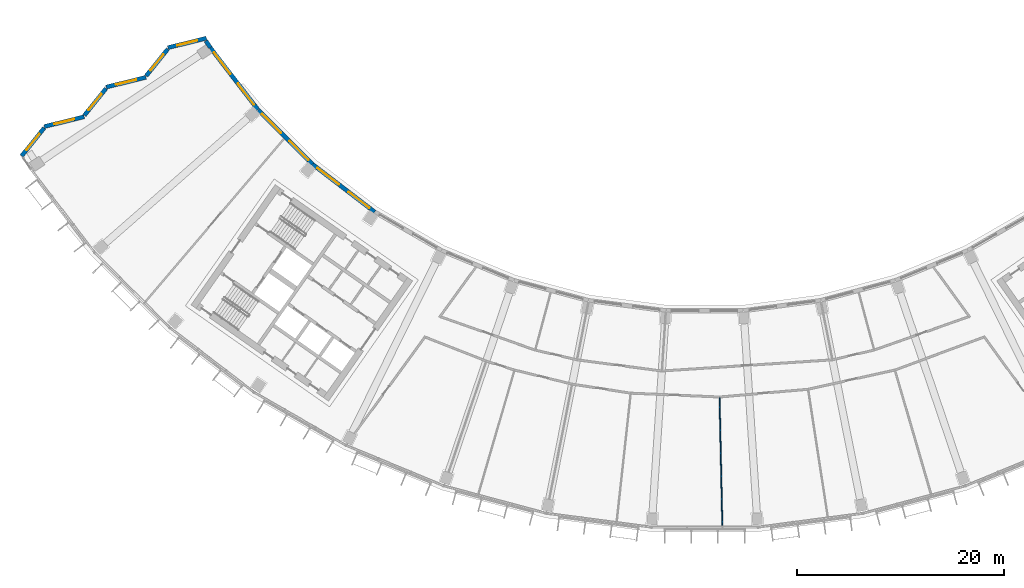
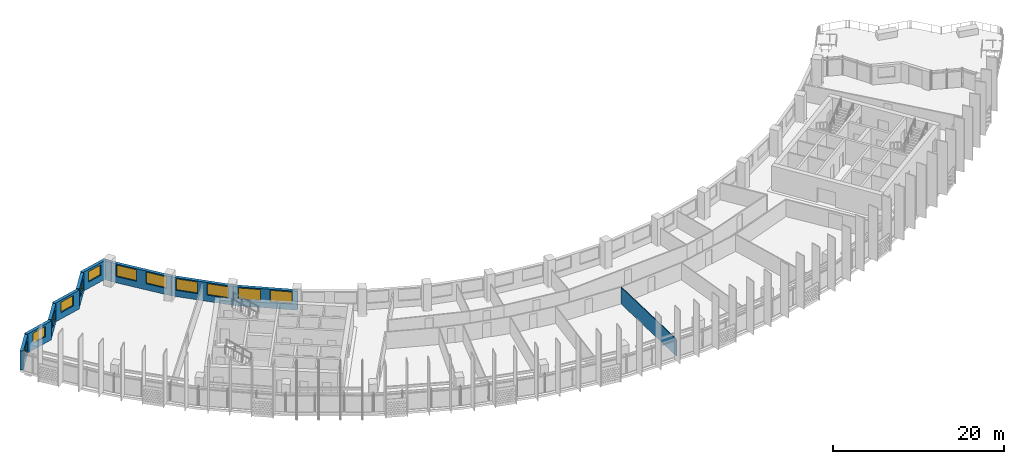
# One storey, part 4 of 30: 12 windows, 11 walls, 12 openings.
"""IFC4 building model written with IfcOpenShell, lengths in metres."""

from ifc_helpers import new_model, si_unit, direction, frame, frame_2d, origin, place, context, subcontext, project, spatial, rectangle, extrude, material, layer, layer_set, type_object, element, fill, save


model = new_model("IFC4")

# Units and contexts
model_context = context("Model", 3, precision=1e-05, world=origin(), true_north=direction((0.0, 1.0)))
body_context = subcontext(model_context, "Body", "Model", "MODEL_VIEW")
ifc_project = project(units=[si_unit("LENGTHUNIT", "METRE"), si_unit("AREAUNIT", "SQUARE_METRE"), si_unit("VOLUMEUNIT", "CUBIC_METRE"), si_unit("PLANEANGLEUNIT", "RADIAN"), si_unit("MASSUNIT", "GRAM", prefix="KILO")], contexts=[model_context])

# Site, building, storey
site_placement = place(None, origin())
site = spatial("IfcSite", under=ifc_project, at=site_placement, CompositionType="ELEMENT")
building_placement = place(site_placement, origin())
building = spatial("IfcBuilding", under=site, at=building_placement, Name="Qamariyya Broadcast Tower", CompositionType="ELEMENT")
storey_placement = place(building_placement, frame((0.0, 0.0, 203.699951171875)))
storey = spatial("IfcBuildingStorey", under=building, at=storey_placement, Name="L48", CompositionType="ELEMENT", Elevation=203.699951171875)

# Wall
ifc_material_1 = material(Name="Gypsum board partition")
ifc_layer_1 = layer(ifc_material_1, 0.10009765625)
ifc_layer_set_1 = layer_set([ifc_layer_1], Name="Partition 100")
wall_type_1 = type_object("IfcWallType", Name="Partition 100", PredefinedType="PARTITIONING", material=ifc_layer_set_1)
wall_1_placement = place(storey_placement, frame((1.710205078125, -78.28173828125, 0.0), z_axis=(0.0, 0.0, 1.0), x_axis=(-0.02182963041, 0.999761705226, 0.0)))
element("IfcWall", 1, at=wall_1_placement, inside=storey, type_object=wall_type_1, Name="Partition L48-021", PredefinedType="PARTITIONING", context=body_context, shape_type="SweptSolid", body=[
    extrude(rectangle(XDim=12.42529296875, YDim=0.10009765625, at=frame_2d((6.212646484375, 0.0))), origin(), (0.0, 0.0, 1.0), 2.400146484375),
])

# Wall, opening, window
ifc_material_2 = material(Name="Terracotta", Category="masonry")
ifc_layer_2 = layer(ifc_material_2, 0.39990234375)
ifc_layer_set_2 = layer_set([ifc_layer_2], Name="Terracotta clad wall 400")
wall_type_2 = type_object("IfcWallType", Name="Terracotta clad wall 400", PredefinedType="SOLIDWALL", material=ifc_layer_set_2)
wall_2_placement = place(storey_placement, frame((-48.2470703125, -31.0390625, 0.0), z_axis=(0.0, 0.0, 1.0), x_axis=(-0.971063710017, -0.238820583466, 0.0)))
wall_2 = element("IfcWall", 2, at=wall_2_placement, inside=storey, type_object=wall_type_2, Name="e-wl-L48-capW0", PredefinedType="SOLIDWALL", context=body_context, shape_type="SweptSolid", body=[
    extrude(rectangle(XDim=3.836669921875, YDim=0.39990234375, at=frame_2d((1.91845703125, 0.0))), origin(), (0.0, 0.0, 1.0), 2.699951171875),
])
opening_1_placement = place(wall_2_placement, frame((0.91845703125, 0.0, 0.89990234375)))
opening_1 = element("IfcOpeningElement", 3, at=opening_1_placement, cuts=wall_2, Name="Opening W4", PredefinedType="OPENING", context=body_context, shape_type="SweptSolid", body=[
    extrude(rectangle(XDim=2.0, YDim=1.5, at=frame_2d((1.0, 0.75))), frame((0.0, 0.2099609375, 0.0), z_axis=(0.0, -1.0, 0.0), x_axis=(1.0, 0.0, 0.0)), (0.0, 0.0, 1.0), 0.419921875),
])
ifc_material_3 = material(Name="Clear low-e double glazed unit in aluminium frame", Category="aluminium")
window_type_1 = type_object("IfcWindowType", Name="Horn bay window 2000 x 1500", PartitioningType="SINGLE_PANEL", PredefinedType="WINDOW", material=ifc_material_3)
window_1_placement = place(opening_1_placement, origin())
window_1 = element("IfcWindow", 4, at=window_1_placement, inside=storey, type_object=window_type_1, Name="e-w-L48-capW0", OverallHeight=1.5, OverallWidth=2.0, PartitioningType="SINGLE_PANEL", PredefinedType="WINDOW", context=body_context, shape_type="SweptSolid", body=[
    extrude(rectangle(XDim=2.0, YDim=1.5, at=frame_2d((1.0, 0.75))), frame((0.0, 0.030029296875, 0.0), z_axis=(0.0, -1.0, 0.0), x_axis=(1.0, 0.0, 0.0)), (0.0, 0.0, 1.0), 0.06005859375),
])
fill(opening_1, window_1)

wall_3_placement = place(storey_placement, frame((-51.991943359375, -32.09521484375, 0.0), z_axis=(0.0, 0.0, 1.0), x_axis=(-0.627028964412, -0.778995942088, 0.0)))
wall_3 = element("IfcWall", 5, at=wall_3_placement, inside=storey, type_object=wall_type_2, Name="e-wl-L48-capW1", PredefinedType="SOLIDWALL", context=body_context, shape_type="SweptSolid", body=[
    extrude(rectangle(XDim=3.325439453125, YDim=0.39990234375, at=frame_2d((1.66259765625, 0.0))), origin(), (0.0, 0.0, 1.0), 2.699951171875),
])
opening_2_placement = place(wall_3_placement, frame((0.662841796875, 0.0, 0.89990234375)))
opening_2 = element("IfcOpeningElement", 6, at=opening_2_placement, cuts=wall_3, Name="Opening W4", PredefinedType="OPENING", context=body_context, shape_type="SweptSolid", body=[
    extrude(rectangle(XDim=2.0, YDim=1.5, at=frame_2d((1.0, 0.75))), frame((0.0, 0.2099609375, 0.0), z_axis=(0.0, -1.0, 0.0), x_axis=(1.0, 0.0, 0.0)), (0.0, 0.0, 1.0), 0.419921875),
])
window_2_placement = place(opening_2_placement, origin())
window_2 = element("IfcWindow", 7, at=window_2_placement, inside=storey, type_object=window_type_1, Name="e-w-L48-capW1", OverallHeight=1.5, OverallWidth=2.0, PartitioningType="SINGLE_PANEL", PredefinedType="WINDOW", context=body_context, shape_type="SweptSolid", body=[
    extrude(rectangle(XDim=2.0, YDim=1.5, at=frame_2d((1.0, 0.75))), frame((0.0, 0.030029296875, 0.0), z_axis=(0.0, -1.0, 0.0), x_axis=(1.0, 0.0, 0.0)), (0.0, 0.0, 1.0), 0.06005859375),
])
fill(opening_2, window_2)

wall_4_placement = place(storey_placement, frame((-54.096435546875, -34.82568359375, 0.0), z_axis=(0.0, 0.0, 1.0), x_axis=(-0.971042051173, -0.238908632857, 0.0)))
wall_4 = element("IfcWall", 8, at=wall_4_placement, inside=storey, type_object=wall_type_2, Name="e-wl-L48-capW2", PredefinedType="SOLIDWALL", context=body_context, shape_type="SweptSolid", body=[
    extrude(rectangle(XDim=3.977294921875, YDim=0.39990234375, at=frame_2d((1.98876953125, 0.0))), origin(), (0.0, 0.0, 1.0), 2.699951171875),
])
opening_3_placement = place(wall_4_placement, frame((0.988525390625, 0.0, 0.89990234375)))
opening_3 = element("IfcOpeningElement", 9, at=opening_3_placement, cuts=wall_4, Name="Opening W4", PredefinedType="OPENING", context=body_context, shape_type="SweptSolid", body=[
    extrude(rectangle(XDim=2.0, YDim=1.5, at=frame_2d((1.0, 0.75))), frame((0.0, 0.2099609375, 0.0), z_axis=(0.0, -1.0, 0.0), x_axis=(1.0, 0.0, 0.0)), (0.0, 0.0, 1.0), 0.419921875),
])
window_3_placement = place(opening_3_placement, origin())
window_3 = element("IfcWindow", 10, at=window_3_placement, inside=storey, type_object=window_type_1, Name="e-w-L48-capW2", OverallHeight=1.5, OverallWidth=2.0, PartitioningType="SINGLE_PANEL", PredefinedType="WINDOW", context=body_context, shape_type="SweptSolid", body=[
    extrude(rectangle(XDim=2.0, YDim=1.5, at=frame_2d((1.0, 0.75))), frame((0.0, 0.030029296875, 0.0), z_axis=(0.0, -1.0, 0.0), x_axis=(1.0, 0.0, 0.0)), (0.0, 0.0, 1.0), 0.06005859375),
])
fill(opening_3, window_3)

wall_5_placement = place(storey_placement, frame((-57.9775390625, -35.916015625, 0.0), z_axis=(0.0, 0.0, 1.0), x_axis=(-0.627002883371, -0.779016934504, 0.0)))
wall_5 = element("IfcWall", 11, at=wall_5_placement, inside=storey, type_object=wall_type_2, Name="e-wl-L48-capW3", PredefinedType="SOLIDWALL", context=body_context, shape_type="SweptSolid", body=[
    extrude(rectangle(XDim=3.324462890625, YDim=0.39990234375, at=frame_2d((1.662109375, 0.0))), origin(), (0.0, 0.0, 1.0), 2.699951171875),
])
opening_4_placement = place(wall_5_placement, frame((0.662353515625, 0.0, 0.89990234375)))
opening_4 = element("IfcOpeningElement", 12, at=opening_4_placement, cuts=wall_5, Name="Opening W4", PredefinedType="OPENING", context=body_context, shape_type="SweptSolid", body=[
    extrude(rectangle(XDim=2.0, YDim=1.5, at=frame_2d((1.0, 0.75))), frame((0.0, 0.2099609375, 0.0), z_axis=(0.0, -1.0, 0.0), x_axis=(1.0, 0.0, 0.0)), (0.0, 0.0, 1.0), 0.419921875),
])
window_4_placement = place(opening_4_placement, origin())
window_4 = element("IfcWindow", 13, at=window_4_placement, inside=storey, type_object=window_type_1, Name="e-w-L48-capW3", OverallHeight=1.5, OverallWidth=2.0, PartitioningType="SINGLE_PANEL", PredefinedType="WINDOW", context=body_context, shape_type="SweptSolid", body=[
    extrude(rectangle(XDim=2.0, YDim=1.5, at=frame_2d((1.0, 0.75))), frame((0.0, 0.030029296875, 0.0), z_axis=(0.0, -1.0, 0.0), x_axis=(1.0, 0.0, 0.0)), (0.0, 0.0, 1.0), 0.06005859375),
])
fill(opening_4, window_4)

wall_6_placement = place(storey_placement, frame((-60.0810546875, -38.645751953125, 0.0), z_axis=(0.0, 0.0, 1.0), x_axis=(-0.971013345077, -0.239025278334, 0.0)))
wall_6 = element("IfcWall", 14, at=wall_6_placement, inside=storey, type_object=wall_type_2, Name="e-wl-L48-capW4", PredefinedType="SOLIDWALL", context=body_context, shape_type="SweptSolid", body=[
    extrude(rectangle(XDim=3.978271484375, YDim=0.39990234375, at=frame_2d((1.9892578125, 0.0))), origin(), (0.0, 0.0, 1.0), 2.699951171875),
])
opening_5_placement = place(wall_6_placement, frame((0.989013671875, 0.0, 0.89990234375)))
opening_5 = element("IfcOpeningElement", 15, at=opening_5_placement, cuts=wall_6, Name="Opening W4", PredefinedType="OPENING", context=body_context, shape_type="SweptSolid", body=[
    extrude(rectangle(XDim=2.0, YDim=1.5, at=frame_2d((1.0, 0.75))), frame((0.0, 0.2099609375, 0.0), z_axis=(0.0, -1.0, 0.0), x_axis=(1.0, 0.0, 0.0)), (0.0, 0.0, 1.0), 0.419921875),
])
window_5_placement = place(opening_5_placement, origin())
window_5 = element("IfcWindow", 16, at=window_5_placement, inside=storey, type_object=window_type_1, Name="e-w-L48-capW4", OverallHeight=1.5, OverallWidth=2.0, PartitioningType="SINGLE_PANEL", PredefinedType="WINDOW", context=body_context, shape_type="SweptSolid", body=[
    extrude(rectangle(XDim=2.0, YDim=1.5, at=frame_2d((1.0, 0.75))), frame((0.0, 0.030029296875, 0.0), z_axis=(0.0, -1.0, 0.0), x_axis=(1.0, 0.0, 0.0)), (0.0, 0.0, 1.0), 0.06005859375),
])
fill(opening_5, window_5)

wall_7_placement = place(storey_placement, frame((-63.963134765625, -39.736572265625, 0.0), z_axis=(0.0, 0.0, 1.0), x_axis=(-0.626887636163, -0.779109678816, 0.0)))
wall_7 = element("IfcWall", 17, at=wall_7_placement, inside=storey, type_object=wall_type_2, Name="e-wl-L48-capW5", PredefinedType="SOLIDWALL", context=body_context, shape_type="SweptSolid", body=[
    extrude(rectangle(XDim=3.472412109375, YDim=0.39990234375, at=frame_2d((1.736328125, 0.0))), origin(), (0.0, 0.0, 1.0), 2.699951171875),
])
opening_6_placement = place(wall_7_placement, frame((0.736083984375, 0.0, 0.89990234375)))
opening_6 = element("IfcOpeningElement", 18, at=opening_6_placement, cuts=wall_7, Name="Opening W4", PredefinedType="OPENING", context=body_context, shape_type="SweptSolid", body=[
    extrude(rectangle(XDim=2.0, YDim=1.5, at=frame_2d((1.0, 0.75))), frame((0.0, 0.2099609375, 0.0), z_axis=(0.0, -1.0, 0.0), x_axis=(1.0, 0.0, 0.0)), (0.0, 0.0, 1.0), 0.419921875),
])
window_6_placement = place(opening_6_placement, origin())
window_6 = element("IfcWindow", 19, at=window_6_placement, inside=storey, type_object=window_type_1, Name="e-w-L48-capW5", OverallHeight=1.5, OverallWidth=2.0, PartitioningType="SINGLE_PANEL", PredefinedType="WINDOW", context=body_context, shape_type="SweptSolid", body=[
    extrude(rectangle(XDim=2.0, YDim=1.5, at=frame_2d((1.0, 0.75))), frame((0.0, 0.030029296875, 0.0), z_axis=(0.0, -1.0, 0.0), x_axis=(1.0, 0.0, 0.0)), (0.0, 0.0, 1.0), 0.06005859375),
])
fill(opening_6, window_6)

# Wall
wall_8_placement = place(storey_placement, frame((-47.864501953125, -31.95263671875, 0.0), z_axis=(0.0, 0.0, 1.0), x_axis=(-0.546713306293, 0.837319867626, 0.0)))
element("IfcWall", 20, at=wall_8_placement, inside=storey, type_object=wall_type_2, Name="e-wl-L48-in00", PredefinedType="SOLIDWALL", context=body_context, shape_type="SweptSolid", body=[
    extrude(rectangle(XDim=0.785400390625, YDim=0.39990234375, at=frame_2d((0.392578125, 0.0))), origin(), (0.0, 0.0, 1.0), 2.699951171875),
])

# Wall, openings, windows
wall_9_placement = place(storey_placement, frame((-43.25341796875, -37.965576171875, 0.0), z_axis=(0.0, 0.0, 1.0), x_axis=(-0.60876019503, 0.793354287155, 0.0)))
wall_9 = element("IfcWall", 21, at=wall_9_placement, inside=storey, type_object=wall_type_2, Name="e-wl-L48-in10", PredefinedType="SOLIDWALL", context=body_context, shape_type="SweptSolid", body=[
    extrude(rectangle(XDim=7.5625, YDim=0.39990234375, at=frame_2d((3.78125, 0.0))), origin(), (0.0, 0.0, 1.0), 2.699951171875),
])
opening_7_placement = place(wall_9_placement, frame((4.364501953125, 0.0, 0.89990234375)))
opening_7 = element("IfcOpeningElement", 22, at=opening_7_placement, cuts=wall_9, Name="Opening W1", PredefinedType="OPENING", context=body_context, shape_type="SweptSolid", body=[
    extrude(rectangle(XDim=2.60009765625, YDim=1.64990234375, at=frame_2d((1.300048828125, 0.824951171875))), frame((0.0, 0.2099609375, 0.0), z_axis=(0.0, -1.0, 0.0), x_axis=(1.0, 0.0, 0.0)), (0.0, 0.0, 1.0), 0.419921875),
])
opening_8_placement = place(wall_9_placement, frame((0.613525390625, 0.0, 0.89990234375)))
opening_8 = element("IfcOpeningElement", 23, at=opening_8_placement, cuts=wall_9, Name="Opening W1", PredefinedType="OPENING", context=body_context, shape_type="SweptSolid", body=[
    extrude(rectangle(XDim=2.60009765625, YDim=1.64990234375, at=frame_2d((1.300048828125, 0.824951171875))), frame((0.0, 0.2099609375, 0.0), z_axis=(0.0, -1.0, 0.0), x_axis=(1.0, 0.0, 0.0)), (0.0, 0.0, 1.0), 0.419921875),
])
window_type_2 = type_object("IfcWindowType", Name="Ribbon window 2600 x 1650", PartitioningType="SINGLE_PANEL", PredefinedType="WINDOW", material=ifc_material_3)
window_7_placement = place(opening_7_placement, origin())
window_7 = element("IfcWindow", 24, at=window_7_placement, inside=storey, type_object=window_type_2, Name="e-w-L48-in01-0", OverallHeight=1.64990234375, OverallWidth=2.60009765625, PartitioningType="SINGLE_PANEL", PredefinedType="WINDOW", context=body_context, shape_type="SweptSolid", body=[
    extrude(rectangle(XDim=2.60009765625, YDim=1.64990234375, at=frame_2d((1.300048828125, 0.824951171875))), frame((0.0, 0.030029296875, 0.0), z_axis=(0.0, -1.0, 0.0), x_axis=(1.0, 0.0, 0.0)), (0.0, 0.0, 1.0), 0.06005859375),
])
fill(opening_7, window_7)
window_8_placement = place(opening_8_placement, origin())
window_8 = element("IfcWindow", 25, at=window_8_placement, inside=storey, type_object=window_type_2, Name="e-w-L48-in01-1", OverallHeight=1.64990234375, OverallWidth=2.60009765625, PartitioningType="SINGLE_PANEL", PredefinedType="WINDOW", context=body_context, shape_type="SweptSolid", body=[
    extrude(rectangle(XDim=2.60009765625, YDim=1.64990234375, at=frame_2d((1.300048828125, 0.824951171875))), frame((0.0, 0.030029296875, 0.0), z_axis=(0.0, -1.0, 0.0), x_axis=(1.0, 0.0, 0.0)), (0.0, 0.0, 1.0), 0.06005859375),
])
fill(opening_8, window_8)

wall_10_placement = place(storey_placement, frame((-37.9814453125, -43.23291015625, 0.0), z_axis=(0.0, 0.0, 1.0), x_axis=(-0.707106781187, 0.707106781187, 0.0)))
wall_10 = element("IfcWall", 26, at=wall_10_placement, inside=storey, type_object=wall_type_2, Name="e-wl-L48-in20", PredefinedType="SOLIDWALL", context=body_context, shape_type="SweptSolid", body=[
    extrude(rectangle(XDim=7.4267578125, YDim=0.39990234375, at=frame_2d((3.71337890625, 0.0))), origin(), (0.0, 0.0, 1.0), 2.699951171875),
])
opening_9_placement = place(wall_10_placement, frame((4.28857421875, 0.0, 0.89990234375)))
opening_9 = element("IfcOpeningElement", 27, at=opening_9_placement, cuts=wall_10, Name="Opening W1", PredefinedType="OPENING", context=body_context, shape_type="SweptSolid", body=[
    extrude(rectangle(XDim=2.60009765625, YDim=1.64990234375, at=frame_2d((1.300048828125, 0.824951171875))), frame((0.0, 0.2099609375, 0.0), z_axis=(0.0, -1.0, 0.0), x_axis=(1.0, 0.0, 0.0)), (0.0, 0.0, 1.0), 0.419921875),
])
opening_10_placement = place(wall_10_placement, frame((0.537841796875, 0.0, 0.89990234375)))
opening_10 = element("IfcOpeningElement", 28, at=opening_10_placement, cuts=wall_10, Name="Opening W1", PredefinedType="OPENING", context=body_context, shape_type="SweptSolid", body=[
    extrude(rectangle(XDim=2.60009765625, YDim=1.64990234375, at=frame_2d((1.300048828125, 0.824951171875))), frame((0.0, 0.2099609375, 0.0), z_axis=(0.0, -1.0, 0.0), x_axis=(1.0, 0.0, 0.0)), (0.0, 0.0, 1.0), 0.419921875),
])
window_9_placement = place(opening_9_placement, origin())
window_9 = element("IfcWindow", 29, at=window_9_placement, inside=storey, type_object=window_type_2, Name="e-w-L48-in02-0", OverallHeight=1.64990234375, OverallWidth=2.60009765625, PartitioningType="SINGLE_PANEL", PredefinedType="WINDOW", context=body_context, shape_type="SweptSolid", body=[
    extrude(rectangle(XDim=2.60009765625, YDim=1.64990234375, at=frame_2d((1.300048828125, 0.824951171875))), frame((0.0, 0.030029296875, 0.0), z_axis=(0.0, -1.0, 0.0), x_axis=(1.0, 0.0, 0.0)), (0.0, 0.0, 1.0), 0.06005859375),
])
fill(opening_9, window_9)
window_10_placement = place(opening_10_placement, origin())
window_10 = element("IfcWindow", 30, at=window_10_placement, inside=storey, type_object=window_type_2, Name="e-w-L48-in02-1", OverallHeight=1.64990234375, OverallWidth=2.60009765625, PartitioningType="SINGLE_PANEL", PredefinedType="WINDOW", context=body_context, shape_type="SweptSolid", body=[
    extrude(rectangle(XDim=2.60009765625, YDim=1.64990234375, at=frame_2d((1.300048828125, 0.824951171875))), frame((0.0, 0.030029296875, 0.0), z_axis=(0.0, -1.0, 0.0), x_axis=(1.0, 0.0, 0.0)), (0.0, 0.0, 1.0), 0.06005859375),
])
fill(opening_10, window_10)

wall_11_placement = place(storey_placement, frame((-31.953369140625, -47.86669921875, 0.0), z_axis=(0.0, 0.0, 1.0), x_axis=(-0.793356365089, 0.608757486995, 0.0)))
wall_11 = element("IfcWall", 31, at=wall_11_placement, inside=storey, type_object=wall_type_2, Name="e-wl-L48-in30", PredefinedType="SOLIDWALL", context=body_context, shape_type="SweptSolid", body=[
    extrude(rectangle(XDim=7.578125, YDim=0.39990234375, at=frame_2d((3.7890625, 0.0))), origin(), (0.0, 0.0, 1.0), 2.699951171875),
])
opening_11_placement = place(wall_11_placement, frame((4.364501953125, 0.0, 0.89990234375)))
opening_11 = element("IfcOpeningElement", 32, at=opening_11_placement, cuts=wall_11, Name="Opening W1", PredefinedType="OPENING", context=body_context, shape_type="SweptSolid", body=[
    extrude(rectangle(XDim=2.60009765625, YDim=1.64990234375, at=frame_2d((1.300048828125, 0.824951171875))), frame((0.0, 0.2099609375, 0.0), z_axis=(0.0, -1.0, 0.0), x_axis=(1.0, 0.0, 0.0)), (0.0, 0.0, 1.0), 0.419921875),
])
opening_12_placement = place(wall_11_placement, frame((0.613525390625, 0.0, 0.89990234375)))
opening_12 = element("IfcOpeningElement", 33, at=opening_12_placement, cuts=wall_11, Name="Opening W1", PredefinedType="OPENING", context=body_context, shape_type="SweptSolid", body=[
    extrude(rectangle(XDim=2.60009765625, YDim=1.64990234375, at=frame_2d((1.300048828125, 0.824951171875))), frame((0.0, 0.2099609375, 0.0), z_axis=(0.0, -1.0, 0.0), x_axis=(1.0, 0.0, 0.0)), (0.0, 0.0, 1.0), 0.419921875),
])
window_11_placement = place(opening_11_placement, origin())
window_11 = element("IfcWindow", 34, at=window_11_placement, inside=storey, type_object=window_type_2, Name="e-w-L48-in03-0", OverallHeight=1.64990234375, OverallWidth=2.60009765625, PartitioningType="SINGLE_PANEL", PredefinedType="WINDOW", context=body_context, shape_type="SweptSolid", body=[
    extrude(rectangle(XDim=2.60009765625, YDim=1.64990234375, at=frame_2d((1.300048828125, 0.824951171875))), frame((0.0, 0.030029296875, 0.0), z_axis=(0.0, -1.0, 0.0), x_axis=(1.0, 0.0, 0.0)), (0.0, 0.0, 1.0), 0.06005859375),
])
fill(opening_11, window_11)
window_12_placement = place(opening_12_placement, origin())
window_12 = element("IfcWindow", 35, at=window_12_placement, inside=storey, type_object=window_type_2, Name="e-w-L48-in03-1", OverallHeight=1.64990234375, OverallWidth=2.60009765625, PartitioningType="SINGLE_PANEL", PredefinedType="WINDOW", context=body_context, shape_type="SweptSolid", body=[
    extrude(rectangle(XDim=2.60009765625, YDim=1.64990234375, at=frame_2d((1.300048828125, 0.824951171875))), frame((0.0, 0.030029296875, 0.0), z_axis=(0.0, -1.0, 0.0), x_axis=(1.0, 0.0, 0.0)), (0.0, 0.0, 1.0), 0.06005859375),
])
fill(opening_12, window_12)

save(model, "model.ifc")
